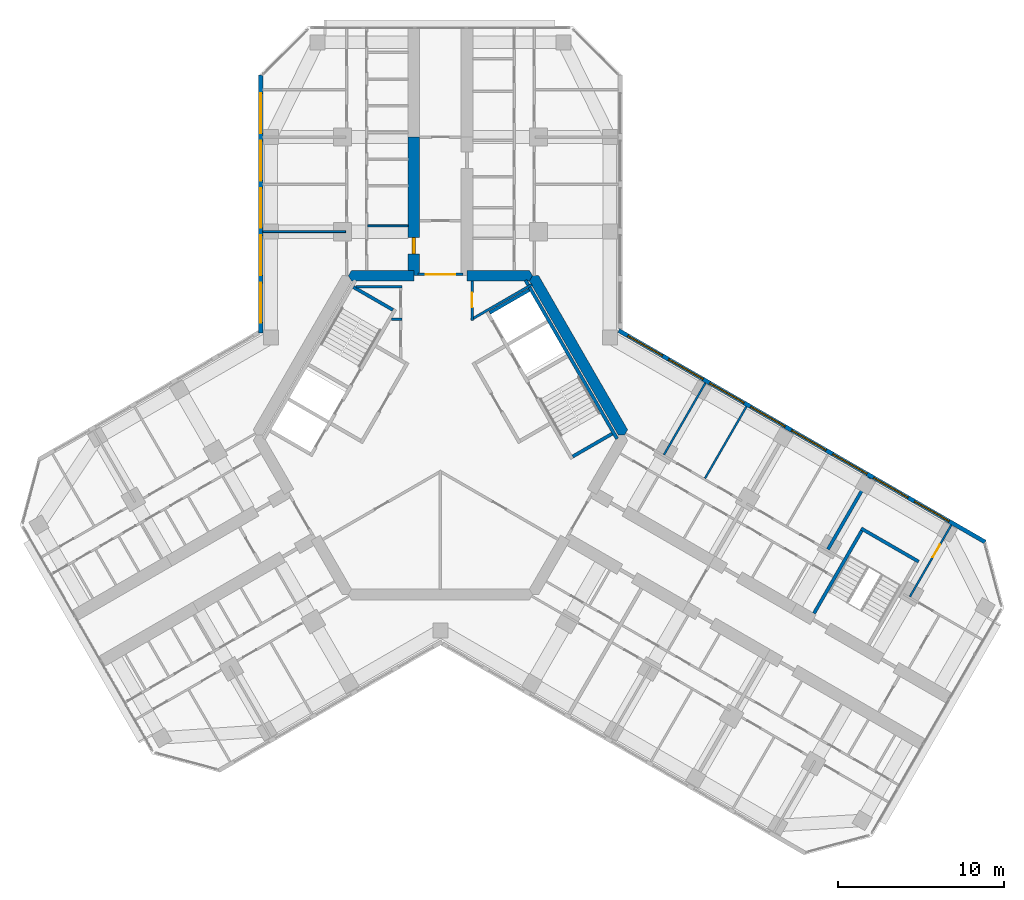
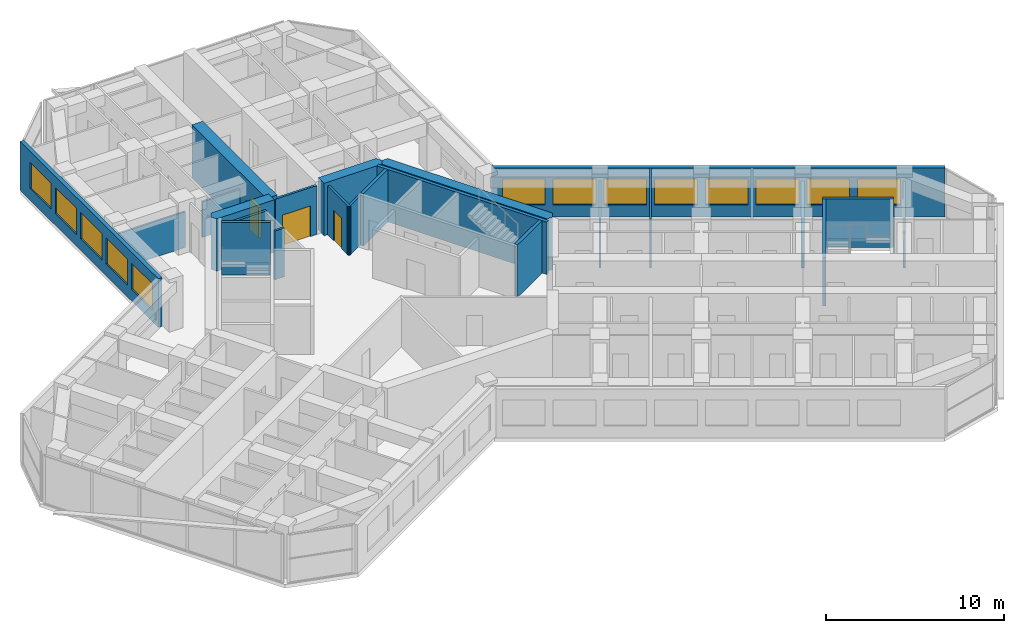
# One storey, part 13 of 16: 23 walls, 13 windows, 4 doors, 17 openings.
"""IFC4 building model written with IfcOpenShell, lengths in metres."""

import ifcopenshell
import ifcopenshell.guid

model = None  # the IFC model being written
_history = None  # IfcOwnerHistory: only IFC2X3 demands one
_inside = {}  # id of a spatial element -> (the spatial element, [elements in it])
_under = {}  # id of a project, library or spatial element -> (it, [spatial elements below it])
_declared = {}  # id of a project -> (the project, [libraries it declares])
_typed = {}  # id of a type object -> (the type object, [elements of that type])
_made_of = {}  # id of a material, layer set ... -> (it, [elements and type objects made of it])


def new_model(schema):
    """Start an empty IFC model of exactly this schema.

    Asked for "IFC4X3", IfcOpenShell would pick the latest addendum, in which some entities
    have other attributes; the version numbers below select the first issue.
    IFC2X3 requires an IfcOwnerHistory on every rooted entity: one is made here for all.
    """
    global model, _history
    if schema == "IFC4X3":
        model = ifcopenshell.file(schema_version=(4, 3, 0, 0))
    else:
        model = ifcopenshell.file(schema=schema)
    _inside.clear()
    _under.clear()
    _declared.clear()
    _typed.clear()
    _made_of.clear()
    _history = None
    if model.schema == "IFC2X3":
        org = make("IfcOrganization", Name="unknown")
        user = make(
            "IfcPersonAndOrganization",
            ThePerson=make("IfcPerson", FamilyName="unknown"),
            TheOrganization=org,
        )
        app = make(
            "IfcApplication",
            ApplicationDeveloper=org,
            Version="unknown",
            ApplicationFullName="unknown",
            ApplicationIdentifier="unknown",
        )
        _history = make(
            "IfcOwnerHistory",
            OwningUser=user,
            OwningApplication=app,
            ChangeAction="ADDED",
            CreationDate=0,
        )
    return model


def make(cls, **values):
    """One entity of the class cls with the attributes given. An attribute that is None is left unset."""
    return model.create_entity(
        cls, **{name: value for name, value in values.items() if value is not None}
    )


def rooted(cls, **values):
    """An entity with a GlobalId (a new one), such as an element, a storey or a relation."""
    return make(cls, GlobalId=ifcopenshell.guid.new(), OwnerHistory=_history, **values)


def si_unit(unit_type, name, prefix=None):
    """IfcSIUnit, for example si_unit("LENGTHUNIT", "METRE", prefix="MILLI")."""
    return make("IfcSIUnit", UnitType=unit_type, Prefix=prefix, Name=name)


def assignment(units):
    """IfcUnitAssignment: the units of a project."""
    return None if units is None else make("IfcUnitAssignment", Units=units)


def point(xyz):
    """IfcCartesianPoint."""
    return None if xyz is None else make("IfcCartesianPoint", Coordinates=xyz)


def direction(xyz):
    """IfcDirection."""
    return None if xyz is None else make("IfcDirection", DirectionRatios=xyz)


def frame(location, z_axis=None, x_axis=None):
    """IfcAxis2Placement3D, a coordinate frame: its origin and axes. An axis left out is left unset."""
    return make(
        "IfcAxis2Placement3D",
        Location=point(location),
        Axis=direction(z_axis),
        RefDirection=direction(x_axis),
    )


def frame_2d(location, x_axis=None):
    """IfcAxis2Placement2D, a coordinate frame in the plane: its origin and x axis."""
    return make(
        "IfcAxis2Placement2D", Location=point(location), RefDirection=direction(x_axis)
    )


def origin():
    """The frame at (0, 0, 0) with its axes left unset."""
    return frame((0.0, 0.0, 0.0))


def place(relative_to, where):
    """IfcLocalPlacement: puts the frame where relative to a parent placement (None: the world)."""
    return make(
        "IfcLocalPlacement", PlacementRelTo=relative_to, RelativePlacement=where
    )


def context(
    kind, dimensions, precision=None, world=None, true_north=None, identifier=None
):
    """IfcGeometricRepresentationContext, for example the 3D "Model" context."""
    return make(
        "IfcGeometricRepresentationContext",
        ContextIdentifier=identifier,
        ContextType=kind,
        CoordinateSpaceDimension=dimensions,
        Precision=precision,
        WorldCoordinateSystem=world,
        TrueNorth=true_north,
    )


def subcontext(parent, identifier, kind, view, scale=None):
    """IfcGeometricRepresentationSubContext, for example "Body" below "Model"."""
    return make(
        "IfcGeometricRepresentationSubContext",
        ContextIdentifier=identifier,
        ContextType=kind,
        ParentContext=parent,
        TargetScale=scale,
        TargetView=view,
    )


def project(units=None, contexts=None):
    """IfcProject with its units and contexts."""
    return rooted(
        "IfcProject",
        Name="project",
        RepresentationContexts=contexts,
        UnitsInContext=assignment(units),
    )


def spatial(cls, under=None, at=None, **own):
    """A site, building, storey or space (cls), placed at a placement, below another one or the project."""
    s = rooted(cls, ObjectPlacement=at, **own)
    if under is not None:
        _under.setdefault(under.id(), (under, []))[1].append(s)
    return s


def polyline(points):
    """IfcPolyline through the points."""
    return make("IfcPolyline", Points=[point(p) for p in points])


def profile(cls, at=None, kind="AREA", **sizes):
    """A parametric profile (cls). Its sizes go by their IFC names, for example OverallWidth=200.0."""
    return make(cls, ProfileType=kind, Position=at, **sizes)


def rectangle(**sizes):
    """IfcRectangleProfileDef."""
    return profile("IfcRectangleProfileDef", **sizes)


def outline(outer, holes=None, kind="AREA"):
    """IfcArbitraryClosedProfileDef: a profile drawn as a closed curve; with holes, ...WithVoids."""
    if holes is None:
        return make("IfcArbitraryClosedProfileDef", ProfileType=kind, OuterCurve=outer)
    return make(
        "IfcArbitraryProfileDefWithVoids",
        ProfileType=kind,
        OuterCurve=outer,
        InnerCurves=holes,
    )


def extrude(swept, where, along, depth):
    """IfcExtrudedAreaSolid: the profile swept, set in the frame where, extruded along a direction by depth."""
    return make(
        "IfcExtrudedAreaSolid",
        SweptArea=swept,
        Position=where,
        ExtrudedDirection=direction(along),
        Depth=depth,
    )


def shape(context_of_items, identifier, shape_type, items):
    """IfcShapeRepresentation: the items that make up one representation, for example the "Body"."""
    return make(
        "IfcShapeRepresentation",
        ContextOfItems=context_of_items,
        RepresentationIdentifier=identifier,
        RepresentationType=shape_type,
        Items=items,
    )


def material(Name=None, Category=None):
    """IfcMaterial."""
    return make("IfcMaterial", Name=Name, Category=Category)


def layer(
    of_material, thickness, ventilated=None, Name=None, Category=None, Priority=None
):
    """IfcMaterialLayer: one layer of a wall or slab, of a material (None: an air gap)."""
    return make(
        "IfcMaterialLayer",
        Material=of_material,
        LayerThickness=thickness,
        IsVentilated=ventilated,
        Name=Name,
        Category=Category,
        Priority=Priority,
    )


def layer_set(layers, Name=None):
    """IfcMaterialLayerSet."""
    return make("IfcMaterialLayerSet", MaterialLayers=layers, LayerSetName=Name)


def made_of(thing, what):
    """Note that an element or type object is made of a material, layer set ...; save() writes the relation."""
    if what is not None:
        _made_of.setdefault(what.id(), (what, []))[1].append(thing)
    return thing


def type_object(cls, material=None, **own):
    """A type object (cls), such as IfcWallType, which elements share."""
    return made_of(rooted(cls, **own), material)


def element(
    cls,
    number,
    at=None,
    inside=None,
    cuts=None,
    type_object=None,
    material=None,
    context=None,
    identifier="Body",
    shape_type=None,
    held_by="IfcProductDefinitionShape",
    body=None,
    shapes=None,
    **own,
):
    """One element of the class cls, such as IfcWall. Its Tag is "e" and its number.

    at: its placement. inside: the storey or other place that contains it. cuts: it is an
    opening in that element (IfcRelVoidsElement). A single representation is given by context,
    identifier, shape_type and body (its items); several are given by shapes. held_by: the class
    of the entity that holds the representations. save() writes the other relations.
    """
    e = rooted(cls, Tag="e%d" % number, ObjectPlacement=at, **own)
    if body is not None:
        shapes = [shape(context, identifier, shape_type, body)]
    if shapes is not None:
        e.Representation = make(held_by, Representations=shapes)
    if inside is not None:
        _inside.setdefault(inside.id(), (inside, []))[1].append(e)
    if cuts is not None:
        rooted(
            "IfcRelVoidsElement", RelatingBuildingElement=cuts, RelatedOpeningElement=e
        )
    if type_object is not None:
        _typed.setdefault(type_object.id(), (type_object, []))[1].append(e)
    return made_of(e, material)


def fill(opening, filler):
    """IfcRelFillsElement: the door or window that sits in an opening."""
    return rooted(
        "IfcRelFillsElement",
        RelatingOpeningElement=opening,
        RelatedBuildingElement=filler,
    )


def aggregate(whole, parts):
    """IfcRelAggregates: a whole, such as a stair, and the parts it consists of."""
    return rooted("IfcRelAggregates", RelatingObject=whole, RelatedObjects=parts)


def save(model, path):
    """Write the relations noted so far, then the file.

    IfcRelAggregates (storeys below a building ...), IfcRelContainedInSpatialStructure (elements
    in a storey), IfcRelDefinesByType, IfcRelAssociatesMaterial and IfcRelDeclares: one each for
    every whole, place, type object, material and project.
    """
    for whole, parts in _under.values():
        aggregate(whole, parts)
    for where, things in _inside.values():
        rooted(
            "IfcRelContainedInSpatialStructure",
            RelatedElements=things,
            RelatingStructure=where,
        )
    for kind, things in _typed.values():
        rooted("IfcRelDefinesByType", RelatedObjects=things, RelatingType=kind)
    for what, things in _made_of.values():
        rooted("IfcRelAssociatesMaterial", RelatedObjects=things, RelatingMaterial=what)
    for by, libraries in _declared.values():
        rooted("IfcRelDeclares", RelatingContext=by, RelatedDefinitions=libraries)
    model.write(path)


model = new_model("IFC4")

# Units and contexts
model_context = context("Model", 3, precision=1e-05, world=origin(), true_north=direction((0.0, 1.0)))
body_context = subcontext(model_context, "Body", "Model", "MODEL_VIEW")
ifc_project = project(units=[si_unit("LENGTHUNIT", "METRE"), si_unit("AREAUNIT", "SQUARE_METRE"), si_unit("VOLUMEUNIT", "CUBIC_METRE"), si_unit("PLANEANGLEUNIT", "RADIAN"), si_unit("MASSUNIT", "GRAM", prefix="KILO")], contexts=[model_context])

# Site, building, storey
site_placement = place(None, origin())
site = spatial("IfcSite", under=ifc_project, at=site_placement, CompositionType="ELEMENT")
building_placement = place(site_placement, origin())
building = spatial("IfcBuilding", under=site, at=building_placement, Name="Kosmar Iwan School Tower", CompositionType="ELEMENT")
storey_placement = place(building_placement, frame((0.0, 0.0, 222.60009765625)))
storey = spatial("IfcBuildingStorey", under=building, at=storey_placement, Name="L56", CompositionType="ELEMENT", Elevation=222.60009765625)

# Walls
ifc_material_1 = material(Name="Gypsum board on steel studs, fire-rated", Category="steel")
ifc_layer_1 = layer(ifc_material_1, 0.14990234375)
ifc_layer_set_1 = layer_set([ifc_layer_1], Name="Core room partition 150")
wall_type_1 = type_object("IfcWallType", Name="Core room partition 150", PredefinedType="PARTITIONING", material=ifc_layer_set_1)
wall_1_placement = place(storey_placement, frame((-2.324951171875, 6.985107421875, 0.0), z_axis=(0.0, 0.0, 1.0), x_axis=(-1.0, 0.0, 0.0)))
element("IfcWall", 1, at=wall_1_placement, inside=storey, type_object=wall_type_1, Name="Core room partition L56-CW2", PredefinedType="PARTITIONING", context=body_context, shape_type="SweptSolid", body=[
    extrude(rectangle(XDim=0.623779296875, YDim=0.14990234375, at=frame_2d((0.31201171875, 0.0))), origin(), (0.0, 0.0, 1.0), 3.349853515625),
])
wall_2_placement = place(storey_placement, frame((-5.089599609375, 8.93994140625, 0.0), z_axis=(0.0, 0.0, 1.0), x_axis=(1.0, 0.0, 0.0)))
element("IfcWall", 2, at=wall_2_placement, inside=storey, type_object=wall_type_1, Name="Core room partition L56-CW3", PredefinedType="PARTITIONING", context=body_context, shape_type="SweptSolid", body=[
    extrude(rectangle(XDim=2.7646484375, YDim=0.14990234375, at=frame_2d((1.38232421875, 0.0))), origin(), (0.0, 0.0, 1.0), 3.349853515625),
])
wall_3_placement = place(storey_placement, frame((5.499755859375, 9.064208984375, 0.0), z_axis=(0.0, 0.0, 1.0), x_axis=(-0.866040514841, -0.499973825969, 0.0)))
element("IfcWall", 3, at=wall_3_placement, inside=storey, type_object=wall_type_1, Name="Core room partition L56-CW8", PredefinedType="PARTITIONING", context=body_context, shape_type="SweptSolid", body=[
    extrude(rectangle(XDim=4.231689453125, YDim=0.14990234375, at=frame_2d((2.11572265625, 0.0))), origin(), (0.0, 0.0, 1.0), 3.349853515625),
])

# Wall, opening, door
wall_4_placement = place(storey_placement, frame((1.89990234375, 6.910888671875, 0.0), z_axis=(0.0, 0.0, 1.0), x_axis=(0.0, 1.0, 0.0)))
wall_4 = element("IfcWall", 4, at=wall_4_placement, inside=storey, type_object=wall_type_1, Name="Core room partition L56-CW9", PredefinedType="PARTITIONING", context=body_context, shape_type="SweptSolid", body=[
    extrude(rectangle(XDim=2.384033203125, YDim=0.14990234375, at=frame_2d((1.19189453125, 0.0))), origin(), (0.0, 0.0, 1.0), 3.349853515625),
])
opening_1_placement = place(wall_4_placement, frame((0.777099609375, 0.0, 0.0)))
opening_1 = element("IfcOpeningElement", 5, at=opening_1_placement, cuts=wall_4, Name="Opening D14", PredefinedType="OPENING", context=body_context, shape_type="SweptSolid", body=[
    extrude(rectangle(XDim=0.89990234375, YDim=2.10009765625, at=frame_2d((0.449951171875, 1.050048828125))), frame((0.0, 0.0869140625, 0.0), z_axis=(0.0, -1.0, 0.0), x_axis=(1.0, 0.0, 0.0)), (0.0, 0.0, 1.0), 0.173828125),
])
ifc_material_2 = material(Name="Timber fire door in steel frame", Category="steel")
door_type_1 = type_object("IfcDoorType", Name="Core room door 900x2100", OperationType="SINGLE_SWING_LEFT", PredefinedType="DOOR", material=ifc_material_2)
door_1_placement = place(opening_1_placement, origin())
door_1 = element("IfcDoor", 6, at=door_1_placement, inside=storey, type_object=door_type_1, Name="Linen store door L56 5", OperationType="SINGLE_SWING_RIGHT", OverallHeight=2.10009765625, OverallWidth=0.89990234375, PredefinedType="DOOR", context=body_context, shape_type="SweptSolid", body=[
    extrude(rectangle(XDim=0.89990234375, YDim=2.10009765625, at=frame_2d((0.449951171875, 1.050048828125))), frame((0.0, 0.02490234375, 0.0), z_axis=(0.0, -1.0, 0.0), x_axis=(1.0, 0.0, 0.0)), (0.0, 0.0, 1.0), 0.050048828125),
])
fill(opening_1, door_1)

# Walls
ifc_material_3 = material(Name="Concrete C50/60", Category="concrete")
ifc_layer_2 = layer(ifc_material_3, 0.64990234375)
ifc_layer_set_2 = layer_set([ifc_layer_2], Name="Core wall 650")
wall_type_2 = type_object("IfcWallType", Name="Core wall 650", PredefinedType="SHEAR", material=ifc_layer_set_2)
wall_5_placement = place(storey_placement, origin())
element("IfcWall", 7, at=wall_5_placement, inside=storey, type_object=wall_type_2, Name="Core wall F030", PredefinedType="SHEAR", context=body_context, shape_type="SweptSolid", body=[
    extrude(outline(polyline([(10.7099609375, 0.0), (11.085205078125, 0.0), (11.272705078125, 0.324951171875), (5.917724609375, 9.60009765625), (5.54248046875, 9.60009765625), (5.35498046875, 9.27490234375), (10.7099609375, 0.0)])), origin(), (0.0, 0.0, 1.0), 3.599853515625),
])
wall_6_placement = place(storey_placement, origin())
element("IfcWall", 8, at=wall_6_placement, inside=storey, type_object=wall_type_2, Name="Core wall F090a", PredefinedType="SHEAR", context=body_context, shape_type="SweptSolid", body=[
    extrude(outline(polyline([(1.60009765625, 9.27490234375), (5.35498046875, 9.27490234375), (5.54248046875, 9.60009765625), (5.35498046875, 9.925048828125), (1.60009765625, 9.925048828125), (1.60009765625, 9.27490234375)])), origin(), (0.0, 0.0, 1.0), 3.599853515625),
])
wall_7_placement = place(storey_placement, origin())
element("IfcWall", 9, at=wall_7_placement, inside=storey, type_object=wall_type_2, Name="Core wall F090b", PredefinedType="SHEAR", context=body_context, shape_type="SweptSolid", body=[
    extrude(outline(polyline([(-5.35498046875, 9.27490234375), (-1.60009765625, 9.27490234375), (-1.60009765625, 9.925048828125), (-5.35498046875, 9.925048828125), (-5.54248046875, 9.60009765625), (-5.35498046875, 9.27490234375)])), origin(), (0.0, 0.0, 1.0), 3.599853515625),
])

# Wall, opening, door
ifc_material_4 = material(Name="Concrete C50/60", Category="concrete")
ifc_layer_3 = layer(ifc_material_4, 0.699951171875)
ifc_layer_set_3 = layer_set([ifc_layer_3], Name="Corridor buttress wall 700")
wall_type_3 = type_object("IfcWallType", Name="Corridor buttress wall 700", PredefinedType="SHEAR", material=ifc_layer_set_3)
wall_8_placement = place(storey_placement, frame((-1.60009765625, 9.60009765625, 0.0), z_axis=(0.0, 0.0, 1.0), x_axis=(0.0, 1.0, 0.0)))
wall_8 = element("IfcWall", 10, at=wall_8_placement, inside=storey, type_object=wall_type_3, Name="Corridor wall AL", PredefinedType="SHEAR", context=body_context, shape_type="SweptSolid", body=[
    extrude(rectangle(XDim=8.349853515625, YDim=0.699951171875, at=frame_2d((4.1748046875, 0.0))), origin(), (0.0, 0.0, 1.0), 3.599853515625),
])
opening_2_placement = place(wall_8_placement, frame((1.300048828125, 0.0, 0.0)))
opening_2 = element("IfcOpeningElement", 11, at=opening_2_placement, cuts=wall_8, Name="Opening D1", PredefinedType="OPENING", context=body_context, shape_type="SweptSolid", body=[
    extrude(rectangle(XDim=1.0, YDim=2.10009765625, at=frame_2d((0.5, 1.050048828125))), frame((0.0, 0.362060546875, 0.0), z_axis=(0.0, -1.0, 0.0), x_axis=(1.0, 0.0, 0.0)), (0.0, 0.0, 1.0), 0.723876953125),
])
ifc_material_5 = material(Name="Timber fire door in steel frame", Category="steel")
door_type_2 = type_object("IfcDoorType", Name="Flat entrance door 1000x2100", OperationType="SINGLE_SWING_LEFT", PredefinedType="DOOR", material=ifc_material_5)
door_2_placement = place(opening_2_placement, origin())
door_2 = element("IfcDoor", 12, at=door_2_placement, inside=storey, type_object=door_type_2, Name="Flat L56-AL1 entrance door", OperationType="SINGLE_SWING_RIGHT", OverallHeight=2.10009765625, OverallWidth=1.0, PredefinedType="DOOR", context=body_context, shape_type="SweptSolid", body=[
    extrude(rectangle(XDim=1.0, YDim=2.10009765625, at=frame_2d((0.5, 1.050048828125))), frame((0.0, 0.10009765625, 0.0), z_axis=(0.0, -1.0, 0.0), x_axis=(1.0, 0.0, 0.0)), (0.0, 0.0, 1.0), 0.199951171875),
])
fill(opening_2, door_2)

ifc_material_6 = material(Name="Steel framed glazed screen", Category="steel")
ifc_layer_4 = layer(ifc_material_6, 0.14990234375)
ifc_layer_set_4 = layer_set([ifc_layer_4], Name="Corridor screen wall 150")
wall_type_4 = type_object("IfcWallType", Name="Corridor screen wall 150", PredefinedType="PARTITIONING", material=ifc_layer_set_4)
wall_9_placement = place(storey_placement, frame((1.35009765625, 9.675048828125, 0.0), z_axis=(0.0, 0.0, 1.0), x_axis=(-1.0, 0.0, 0.0)))
wall_9 = element("IfcWall", 13, at=wall_9_placement, inside=storey, type_object=wall_type_4, Name="Corridor screen A L56", PredefinedType="PARTITIONING", context=body_context, shape_type="SweptSolid", body=[
    extrude(rectangle(XDim=2.7001953125, YDim=0.14990234375, at=frame_2d((1.35009765625, 0.0))), origin(), (0.0, 0.0, 1.0), 3.349853515625),
])
opening_3_placement = place(wall_9_placement, frame((0.449951171875, 0.0, 0.0)))
opening_3 = element("IfcOpeningElement", 14, at=opening_3_placement, cuts=wall_9, Name="Opening D9", PredefinedType="OPENING", context=body_context, shape_type="SweptSolid", body=[
    extrude(rectangle(XDim=1.800048828125, YDim=2.10009765625, at=frame_2d((0.89990234375, 1.050048828125))), frame((0.0, 0.0869140625, 0.0), z_axis=(0.0, -1.0, 0.0), x_axis=(1.0, 0.0, 0.0)), (0.0, 0.0, 1.0), 0.173828125),
])
ifc_material_7 = material(Name="Steel framed glazed smoke door", Category="steel")
door_type_3 = type_object("IfcDoorType", Name="Corridor smoke door pair 1800x2100", OperationType="DOUBLE_DOOR_DOUBLE_SWING", PredefinedType="DOOR", material=ifc_material_7)
door_3_placement = place(opening_3_placement, origin())
door_3 = element("IfcDoor", 15, at=door_3_placement, inside=storey, type_object=door_type_3, Name="Corridor doors A L56", OperationType="DOUBLE_DOOR_DOUBLE_SWING", OverallHeight=2.10009765625, OverallWidth=1.800048828125, PredefinedType="DOOR", context=body_context, shape_type="SweptSolid", body=[
    extrude(rectangle(XDim=1.800048828125, YDim=2.10009765625, at=frame_2d((0.89990234375, 1.050048828125))), frame((0.0, 0.02490234375, 0.0), z_axis=(0.0, -1.0, 0.0), x_axis=(1.0, 0.0, 0.0)), (0.0, 0.0, 1.0), 0.050048828125),
])
fill(opening_3, door_3)

# Walls
ifc_material_8 = material(Name="Gypsum board on steel studs", Category="steel")
ifc_layer_5 = layer(ifc_material_8, 0.1201171875)
ifc_layer_set_5 = layer_set([ifc_layer_5], Name="Dwelling partition 120")
wall_type_5 = type_object("IfcWallType", Name="Dwelling partition 120", PredefinedType="PARTITIONING", material=ifc_layer_set_5)
wall_10_placement = place(storey_placement, frame((-5.7099609375, 12.25, 0.0), z_axis=(0.0, 0.0, 1.0), x_axis=(-1.0, 0.0, 0.0)))
element("IfcWall", 16, at=wall_10_placement, inside=storey, type_object=wall_type_5, Name="Partition L56-AL1-X1", PredefinedType="PARTITIONING", context=body_context, shape_type="SweptSolid", body=[
    extrude(rectangle(XDim=4.989990234375, YDim=0.1201171875, at=frame_2d((2.4951171875, 0.0))), origin(), (0.0, 0.0, 1.0), 2.449951171875),
])
wall_11_placement = place(storey_placement, frame((-1.949951171875, 12.60009765625, 0.0), z_axis=(0.0, 0.0, 1.0), x_axis=(-1.0, 0.0, 0.0)))
element("IfcWall", 17, at=wall_11_placement, inside=storey, type_object=wall_type_5, Name="Partition L56-AL1-Y1", PredefinedType="PARTITIONING", context=body_context, shape_type="SweptSolid", body=[
    extrude(rectangle(XDim=2.43994140625, YDim=0.1201171875, at=frame_2d((1.219970703125, 0.0))), origin(), (0.0, 0.0, 1.0), 2.449951171875),
])
wall_12_placement = place(storey_placement, frame((13.4638671875, -1.179931640625, 0.0), z_axis=(0.0, 0.0, 1.0), x_axis=(0.499975153383, 0.86603974851, 0.0)))
element("IfcWall", 18, at=wall_12_placement, inside=storey, type_object=wall_type_5, Name="Partition L56-CL1-X1", PredefinedType="PARTITIONING", context=body_context, shape_type="SweptSolid", body=[
    extrude(rectangle(XDim=4.989990234375, YDim=0.1201171875, at=frame_2d((2.4951171875, 0.0))), origin(), (0.0, 0.0, 1.0), 2.449951171875),
])
wall_13_placement = place(storey_placement, frame((15.931884765625, -2.60498046875, 0.0), z_axis=(0.0, 0.0, 1.0), x_axis=(0.500011847778, 0.866018563358, 0.0)))
element("IfcWall", 19, at=wall_13_placement, inside=storey, type_object=wall_type_5, Name="Partition L56-CL1-X2", PredefinedType="PARTITIONING", context=body_context, shape_type="SweptSolid", body=[
    extrude(rectangle(XDim=4.990234375, YDim=0.1201171875, at=frame_2d((2.4951171875, 0.0))), origin(), (0.0, 0.0, 1.0), 3.349853515625),
])

# Wall, opening, door
wall_14_placement = place(storey_placement, frame((28.27294921875, -9.72998046875, 0.0), z_axis=(0.0, 0.0, 1.0), x_axis=(0.499975153383, 0.86603974851, 0.0)))
wall_14 = element("IfcWall", 20, at=wall_14_placement, inside=storey, type_object=wall_type_5, Name="Partition L56-CL3-TX", PredefinedType="PARTITIONING", context=body_context, shape_type="SweptSolid", body=[
    extrude(rectangle(XDim=4.989990234375, YDim=0.1201171875, at=frame_2d((2.4951171875, 0.0))), origin(), (0.0, 0.0, 1.0), 2.449951171875),
])
opening_4_placement = place(wall_14_placement, frame((2.739990234375, 0.0, 0.0)))
opening_4 = element("IfcOpeningElement", 21, at=opening_4_placement, cuts=wall_14, Name="Opening D2", PredefinedType="OPENING", context=body_context, shape_type="SweptSolid", body=[
    extrude(rectangle(XDim=0.89990234375, YDim=2.10009765625, at=frame_2d((0.449951171875, 1.050048828125))), frame((0.0, 0.072021484375, 0.0), z_axis=(0.0, -1.0, 0.0), x_axis=(1.0, 0.0, 0.0)), (0.0, 0.0, 1.0), 0.14404296875),
])
ifc_material_9 = material(Name="Timber door in timber frame", Category="wood")
door_type_4 = type_object("IfcDoorType", Name="Internal door 900x2100", OperationType="SINGLE_SWING_LEFT", PredefinedType="DOOR", material=ifc_material_9)
door_4_placement = place(opening_4_placement, origin())
door_4 = element("IfcDoor", 22, at=door_4_placement, inside=storey, type_object=door_type_4, Name="Bedroom 1 door L56-CL3-T1", OperationType="SINGLE_SWING_RIGHT", OverallHeight=2.10009765625, OverallWidth=0.89990234375, PredefinedType="DOOR", context=body_context, shape_type="SweptSolid", body=[
    extrude(rectangle(XDim=0.89990234375, YDim=2.10009765625, at=frame_2d((0.449951171875, 1.050048828125))), frame((0.0, 0.02490234375, 0.0), z_axis=(0.0, -1.0, 0.0), x_axis=(1.0, 0.0, 0.0)), (0.0, 0.0, 1.0), 0.050048828125),
])
fill(opening_4, door_4)

# Walls
ifc_material_10 = material(Name="Concrete C35/45", Category="concrete")
ifc_layer_6 = layer(ifc_material_10, 0.199951171875)
ifc_layer_set_6 = layer_set([ifc_layer_6], Name="Escape stair wall 200")
wall_type_6 = type_object("IfcWallType", Name="Escape stair wall 200", PredefinedType="SHEAR", material=ifc_layer_set_6)
wall_15_placement = place(storey_placement, frame((22.49560546875, -10.736328125, 0.0), z_axis=(0.0, 0.0, 1.0), x_axis=(0.500013701029, 0.866017493347, 0.0)))
element("IfcWall", 23, at=wall_15_placement, inside=storey, type_object=wall_type_6, Name="Stair WS3 wall", PredefinedType="SHEAR", context=body_context, shape_type="SweptSolid", body=[
    extrude(rectangle(XDim=5.949951171875, YDim=0.199951171875, at=frame_2d((2.97509765625, 0.0))), origin(), (0.0, 0.0, 1.0), 3.329833984375),
])
wall_16_placement = place(storey_placement, frame((25.334228515625, -5.6201171875, 0.0), z_axis=(0.0, 0.0, 1.0), x_axis=(0.866026010844, -0.49999894854, 0.0)))
element("IfcWall", 24, at=wall_16_placement, inside=storey, type_object=wall_type_6, Name="Stair WS3 wall", PredefinedType="SHEAR", context=body_context, shape_type="SweptSolid", body=[
    extrude(rectangle(XDim=4.0, YDim=0.199951171875, at=frame_2d((2.0, 0.0))), origin(), (0.0, 0.0, 1.0), 3.329833984375),
])

# Wall, openings, windows
ifc_material_11 = material(Name="Black aluminium rainscreen on insulated framing", Category="aluminium")
ifc_layer_7 = layer(ifc_material_11, 0.25)
ifc_layer_set_7 = layer_set([ifc_layer_7], Name="External wall rainscreen 250")
wall_type_7 = type_object("IfcWallType", Name="External wall rainscreen 250", PredefinedType="SOLIDWALL", material=ifc_layer_set_7)
wall_17_placement = place(storey_placement, frame((10.73681640625, 6.30078125, 0.0), z_axis=(0.0, 0.0, 1.0), x_axis=(0.866026390279, -0.499998291337, 0.0)))
wall_17 = element("IfcWall", 25, at=wall_17_placement, inside=storey, type_object=wall_type_7, Name="External wall CL L56", PredefinedType="SOLIDWALL", context=body_context, shape_type="SweptSolid", body=[
    extrude(rectangle(XDim=25.4873046875, YDim=0.25, at=frame_2d((12.74365234375, 0.0))), origin(), (0.0, 0.0, 1.0), 3.349853515625),
])
opening_5_placement = place(wall_17_placement, frame((0.626953125, 0.0, 0.800048828125)))
opening_5 = element("IfcOpeningElement", 26, at=opening_5_placement, cuts=wall_17, Name="Opening W5", PredefinedType="OPENING", context=body_context, shape_type="SweptSolid", body=[
    extrude(rectangle(XDim=2.39990234375, YDim=1.800048828125, at=frame_2d((1.199951171875, 0.89990234375))), frame((0.0, 0.136962890625, 0.0), z_axis=(0.0, -1.0, 0.0), x_axis=(1.0, 0.0, 0.0)), (0.0, 0.0, 1.0), 0.27392578125),
])
opening_6_placement = place(wall_17_placement, frame((3.47705078125, 0.0, 0.800048828125)))
opening_6 = element("IfcOpeningElement", 27, at=opening_6_placement, cuts=wall_17, Name="Opening W5", PredefinedType="OPENING", context=body_context, shape_type="SweptSolid", body=[
    extrude(rectangle(XDim=2.39990234375, YDim=1.800048828125, at=frame_2d((1.199951171875, 0.89990234375))), frame((0.0, 0.136962890625, 0.0), z_axis=(0.0, -1.0, 0.0), x_axis=(1.0, 0.0, 0.0)), (0.0, 0.0, 1.0), 0.27392578125),
])
opening_7_placement = place(wall_17_placement, frame((6.326904296875, 0.0, 0.800048828125)))
opening_7 = element("IfcOpeningElement", 28, at=opening_7_placement, cuts=wall_17, Name="Opening W5", PredefinedType="OPENING", context=body_context, shape_type="SweptSolid", body=[
    extrude(rectangle(XDim=2.39990234375, YDim=1.800048828125, at=frame_2d((1.199951171875, 0.89990234375))), frame((0.0, 0.136962890625, 0.0), z_axis=(0.0, -1.0, 0.0), x_axis=(1.0, 0.0, 0.0)), (0.0, 0.0, 1.0), 0.27392578125),
])
opening_8_placement = place(wall_17_placement, frame((9.177001953125, 0.0, 0.800048828125)))
opening_8 = element("IfcOpeningElement", 29, at=opening_8_placement, cuts=wall_17, Name="Opening W5", PredefinedType="OPENING", context=body_context, shape_type="SweptSolid", body=[
    extrude(rectangle(XDim=2.39990234375, YDim=1.800048828125, at=frame_2d((1.199951171875, 0.89990234375))), frame((0.0, 0.136962890625, 0.0), z_axis=(0.0, -1.0, 0.0), x_axis=(1.0, 0.0, 0.0)), (0.0, 0.0, 1.0), 0.27392578125),
])
opening_9_placement = place(wall_17_placement, frame((12.027099609375, 0.0, 0.800048828125)))
opening_9 = element("IfcOpeningElement", 30, at=opening_9_placement, cuts=wall_17, Name="Opening W5", PredefinedType="OPENING", context=body_context, shape_type="SweptSolid", body=[
    extrude(rectangle(XDim=2.39990234375, YDim=1.800048828125, at=frame_2d((1.199951171875, 0.89990234375))), frame((0.0, 0.136962890625, 0.0), z_axis=(0.0, -1.0, 0.0), x_axis=(1.0, 0.0, 0.0)), (0.0, 0.0, 1.0), 0.27392578125),
])
opening_10_placement = place(wall_17_placement, frame((14.876953125, 0.0, 0.800048828125)))
opening_10 = element("IfcOpeningElement", 31, at=opening_10_placement, cuts=wall_17, Name="Opening W5", PredefinedType="OPENING", context=body_context, shape_type="SweptSolid", body=[
    extrude(rectangle(XDim=2.39990234375, YDim=1.800048828125, at=frame_2d((1.199951171875, 0.89990234375))), frame((0.0, 0.136962890625, 0.0), z_axis=(0.0, -1.0, 0.0), x_axis=(1.0, 0.0, 0.0)), (0.0, 0.0, 1.0), 0.27392578125),
])
opening_11_placement = place(wall_17_placement, frame((17.72705078125, 0.0, 0.800048828125)))
opening_11 = element("IfcOpeningElement", 32, at=opening_11_placement, cuts=wall_17, Name="Opening W5", PredefinedType="OPENING", context=body_context, shape_type="SweptSolid", body=[
    extrude(rectangle(XDim=2.39990234375, YDim=1.800048828125, at=frame_2d((1.199951171875, 0.89990234375))), frame((0.0, 0.136962890625, 0.0), z_axis=(0.0, -1.0, 0.0), x_axis=(1.0, 0.0, 0.0)), (0.0, 0.0, 1.0), 0.27392578125),
])
opening_12_placement = place(wall_17_placement, frame((20.576904296875, 0.0, 0.800048828125)))
opening_12 = element("IfcOpeningElement", 33, at=opening_12_placement, cuts=wall_17, Name="Opening W5", PredefinedType="OPENING", context=body_context, shape_type="SweptSolid", body=[
    extrude(rectangle(XDim=2.39990234375, YDim=1.800048828125, at=frame_2d((1.199951171875, 0.89990234375))), frame((0.0, 0.136962890625, 0.0), z_axis=(0.0, -1.0, 0.0), x_axis=(1.0, 0.0, 0.0)), (0.0, 0.0, 1.0), 0.27392578125),
])
ifc_material_12 = material(Name="Black aluminium frame with dark triple glazing", Category="aluminium")
window_type = type_object("IfcWindowType", Name="Window 2400x1800", PartitioningType="SINGLE_PANEL", PredefinedType="WINDOW", material=ifc_material_12)
window_1_placement = place(opening_5_placement, origin())
window_1 = element("IfcWindow", 34, at=window_1_placement, inside=storey, type_object=window_type, Name="Window CL L56 -1", OverallHeight=1.800048828125, OverallWidth=2.39990234375, PartitioningType="SINGLE_PANEL", PredefinedType="WINDOW", context=body_context, shape_type="SweptSolid", body=[
    extrude(rectangle(XDim=2.39990234375, YDim=1.800048828125, at=frame_2d((1.199951171875, 0.89990234375))), frame((0.0, 0.030029296875, 0.0), z_axis=(0.0, -1.0, 0.0), x_axis=(1.0, 0.0, 0.0)), (0.0, 0.0, 1.0), 0.06005859375),
])
fill(opening_5, window_1)
window_2_placement = place(opening_6_placement, origin())
window_2 = element("IfcWindow", 35, at=window_2_placement, inside=storey, type_object=window_type, Name="Window CL L56 0", OverallHeight=1.800048828125, OverallWidth=2.39990234375, PartitioningType="SINGLE_PANEL", PredefinedType="WINDOW", context=body_context, shape_type="SweptSolid", body=[
    extrude(rectangle(XDim=2.39990234375, YDim=1.800048828125, at=frame_2d((1.199951171875, 0.89990234375))), frame((0.0, 0.030029296875, 0.0), z_axis=(0.0, -1.0, 0.0), x_axis=(1.0, 0.0, 0.0)), (0.0, 0.0, 1.0), 0.06005859375),
])
fill(opening_6, window_2)
window_3_placement = place(opening_7_placement, origin())
window_3 = element("IfcWindow", 36, at=window_3_placement, inside=storey, type_object=window_type, Name="Window CL L56 1", OverallHeight=1.800048828125, OverallWidth=2.39990234375, PartitioningType="SINGLE_PANEL", PredefinedType="WINDOW", context=body_context, shape_type="SweptSolid", body=[
    extrude(rectangle(XDim=2.39990234375, YDim=1.800048828125, at=frame_2d((1.199951171875, 0.89990234375))), frame((0.0, 0.030029296875, 0.0), z_axis=(0.0, -1.0, 0.0), x_axis=(1.0, 0.0, 0.0)), (0.0, 0.0, 1.0), 0.06005859375),
])
fill(opening_7, window_3)
window_4_placement = place(opening_8_placement, origin())
window_4 = element("IfcWindow", 37, at=window_4_placement, inside=storey, type_object=window_type, Name="Window CL L56 2", OverallHeight=1.800048828125, OverallWidth=2.39990234375, PartitioningType="SINGLE_PANEL", PredefinedType="WINDOW", context=body_context, shape_type="SweptSolid", body=[
    extrude(rectangle(XDim=2.39990234375, YDim=1.800048828125, at=frame_2d((1.199951171875, 0.89990234375))), frame((0.0, 0.030029296875, 0.0), z_axis=(0.0, -1.0, 0.0), x_axis=(1.0, 0.0, 0.0)), (0.0, 0.0, 1.0), 0.06005859375),
])
fill(opening_8, window_4)
window_5_placement = place(opening_9_placement, origin())
window_5 = element("IfcWindow", 38, at=window_5_placement, inside=storey, type_object=window_type, Name="Window CL L56 3", OverallHeight=1.800048828125, OverallWidth=2.39990234375, PartitioningType="SINGLE_PANEL", PredefinedType="WINDOW", context=body_context, shape_type="SweptSolid", body=[
    extrude(rectangle(XDim=2.39990234375, YDim=1.800048828125, at=frame_2d((1.199951171875, 0.89990234375))), frame((0.0, 0.030029296875, 0.0), z_axis=(0.0, -1.0, 0.0), x_axis=(1.0, 0.0, 0.0)), (0.0, 0.0, 1.0), 0.06005859375),
])
fill(opening_9, window_5)
window_6_placement = place(opening_10_placement, origin())
window_6 = element("IfcWindow", 39, at=window_6_placement, inside=storey, type_object=window_type, Name="Window CL L56 4", OverallHeight=1.800048828125, OverallWidth=2.39990234375, PartitioningType="SINGLE_PANEL", PredefinedType="WINDOW", context=body_context, shape_type="SweptSolid", body=[
    extrude(rectangle(XDim=2.39990234375, YDim=1.800048828125, at=frame_2d((1.199951171875, 0.89990234375))), frame((0.0, 0.030029296875, 0.0), z_axis=(0.0, -1.0, 0.0), x_axis=(1.0, 0.0, 0.0)), (0.0, 0.0, 1.0), 0.06005859375),
])
fill(opening_10, window_6)
window_7_placement = place(opening_11_placement, origin())
window_7 = element("IfcWindow", 40, at=window_7_placement, inside=storey, type_object=window_type, Name="Window CL L56 5", OverallHeight=1.800048828125, OverallWidth=2.39990234375, PartitioningType="SINGLE_PANEL", PredefinedType="WINDOW", context=body_context, shape_type="SweptSolid", body=[
    extrude(rectangle(XDim=2.39990234375, YDim=1.800048828125, at=frame_2d((1.199951171875, 0.89990234375))), frame((0.0, 0.030029296875, 0.0), z_axis=(0.0, -1.0, 0.0), x_axis=(1.0, 0.0, 0.0)), (0.0, 0.0, 1.0), 0.06005859375),
])
fill(opening_11, window_7)
window_8_placement = place(opening_12_placement, origin())
window_8 = element("IfcWindow", 41, at=window_8_placement, inside=storey, type_object=window_type, Name="Window CL L56 6", OverallHeight=1.800048828125, OverallWidth=2.39990234375, PartitioningType="SINGLE_PANEL", PredefinedType="WINDOW", context=body_context, shape_type="SweptSolid", body=[
    extrude(rectangle(XDim=2.39990234375, YDim=1.800048828125, at=frame_2d((1.199951171875, 0.89990234375))), frame((0.0, 0.030029296875, 0.0), z_axis=(0.0, -1.0, 0.0), x_axis=(1.0, 0.0, 0.0)), (0.0, 0.0, 1.0), 0.06005859375),
])
fill(opening_12, window_8)

wall_18_placement = place(storey_placement, frame((-10.824951171875, 6.14794921875, 0.0), z_axis=(0.0, 0.0, 1.0), x_axis=(0.0, 1.0, 0.0)))
wall_18 = element("IfcWall", 42, at=wall_18_placement, inside=storey, type_object=wall_type_7, Name="External wall AL L56", PredefinedType="SOLIDWALL", context=body_context, shape_type="SweptSolid", body=[
    extrude(rectangle(XDim=15.537353515625, YDim=0.25, at=frame_2d((7.7685546875, 0.0))), origin(), (0.0, 0.0, 1.0), 3.349853515625),
])
opening_13_placement = place(wall_18_placement, frame((0.626953125, 0.0, 0.800048828125)))
opening_13 = element("IfcOpeningElement", 43, at=opening_13_placement, cuts=wall_18, Name="Opening W5", PredefinedType="OPENING", context=body_context, shape_type="SweptSolid", body=[
    extrude(rectangle(XDim=2.39990234375, YDim=1.800048828125, at=frame_2d((1.199951171875, 0.89990234375))), frame((0.0, 0.136962890625, 0.0), z_axis=(0.0, -1.0, 0.0), x_axis=(1.0, 0.0, 0.0)), (0.0, 0.0, 1.0), 0.27392578125),
])
opening_14_placement = place(wall_18_placement, frame((3.47705078125, 0.0, 0.800048828125)))
opening_14 = element("IfcOpeningElement", 44, at=opening_14_placement, cuts=wall_18, Name="Opening W5", PredefinedType="OPENING", context=body_context, shape_type="SweptSolid", body=[
    extrude(rectangle(XDim=2.39990234375, YDim=1.800048828125, at=frame_2d((1.199951171875, 0.89990234375))), frame((0.0, 0.136962890625, 0.0), z_axis=(0.0, -1.0, 0.0), x_axis=(1.0, 0.0, 0.0)), (0.0, 0.0, 1.0), 0.27392578125),
])
opening_15_placement = place(wall_18_placement, frame((6.326904296875, 0.0, 0.800048828125)))
opening_15 = element("IfcOpeningElement", 45, at=opening_15_placement, cuts=wall_18, Name="Opening W5", PredefinedType="OPENING", context=body_context, shape_type="SweptSolid", body=[
    extrude(rectangle(XDim=2.39990234375, YDim=1.800048828125, at=frame_2d((1.199951171875, 0.89990234375))), frame((0.0, 0.136962890625, 0.0), z_axis=(0.0, -1.0, 0.0), x_axis=(1.0, 0.0, 0.0)), (0.0, 0.0, 1.0), 0.27392578125),
])
opening_16_placement = place(wall_18_placement, frame((9.177001953125, 0.0, 0.800048828125)))
opening_16 = element("IfcOpeningElement", 46, at=opening_16_placement, cuts=wall_18, Name="Opening W5", PredefinedType="OPENING", context=body_context, shape_type="SweptSolid", body=[
    extrude(rectangle(XDim=2.39990234375, YDim=1.800048828125, at=frame_2d((1.199951171875, 0.89990234375))), frame((0.0, 0.136962890625, 0.0), z_axis=(0.0, -1.0, 0.0), x_axis=(1.0, 0.0, 0.0)), (0.0, 0.0, 1.0), 0.27392578125),
])
opening_17_placement = place(wall_18_placement, frame((12.027099609375, 0.0, 0.800048828125)))
opening_17 = element("IfcOpeningElement", 47, at=opening_17_placement, cuts=wall_18, Name="Opening W5", PredefinedType="OPENING", context=body_context, shape_type="SweptSolid", body=[
    extrude(rectangle(XDim=2.39990234375, YDim=1.800048828125, at=frame_2d((1.199951171875, 0.89990234375))), frame((0.0, 0.136962890625, 0.0), z_axis=(0.0, -1.0, 0.0), x_axis=(1.0, 0.0, 0.0)), (0.0, 0.0, 1.0), 0.27392578125),
])
window_9_placement = place(opening_13_placement, origin())
window_9 = element("IfcWindow", 48, at=window_9_placement, inside=storey, type_object=window_type, Name="Window AL L56 -1", OverallHeight=1.800048828125, OverallWidth=2.39990234375, PartitioningType="SINGLE_PANEL", PredefinedType="WINDOW", context=body_context, shape_type="SweptSolid", body=[
    extrude(rectangle(XDim=2.39990234375, YDim=1.800048828125, at=frame_2d((1.199951171875, 0.89990234375))), frame((0.0, 0.030029296875, 0.0), z_axis=(0.0, -1.0, 0.0), x_axis=(1.0, 0.0, 0.0)), (0.0, 0.0, 1.0), 0.06005859375),
])
fill(opening_13, window_9)
window_10_placement = place(opening_14_placement, origin())
window_10 = element("IfcWindow", 49, at=window_10_placement, inside=storey, type_object=window_type, Name="Window AL L56 0", OverallHeight=1.800048828125, OverallWidth=2.39990234375, PartitioningType="SINGLE_PANEL", PredefinedType="WINDOW", context=body_context, shape_type="SweptSolid", body=[
    extrude(rectangle(XDim=2.39990234375, YDim=1.800048828125, at=frame_2d((1.199951171875, 0.89990234375))), frame((0.0, 0.030029296875, 0.0), z_axis=(0.0, -1.0, 0.0), x_axis=(1.0, 0.0, 0.0)), (0.0, 0.0, 1.0), 0.06005859375),
])
fill(opening_14, window_10)
window_11_placement = place(opening_15_placement, origin())
window_11 = element("IfcWindow", 50, at=window_11_placement, inside=storey, type_object=window_type, Name="Window AL L56 1", OverallHeight=1.800048828125, OverallWidth=2.39990234375, PartitioningType="SINGLE_PANEL", PredefinedType="WINDOW", context=body_context, shape_type="SweptSolid", body=[
    extrude(rectangle(XDim=2.39990234375, YDim=1.800048828125, at=frame_2d((1.199951171875, 0.89990234375))), frame((0.0, 0.030029296875, 0.0), z_axis=(0.0, -1.0, 0.0), x_axis=(1.0, 0.0, 0.0)), (0.0, 0.0, 1.0), 0.06005859375),
])
fill(opening_15, window_11)
window_12_placement = place(opening_16_placement, origin())
window_12 = element("IfcWindow", 51, at=window_12_placement, inside=storey, type_object=window_type, Name="Window AL L56 2", OverallHeight=1.800048828125, OverallWidth=2.39990234375, PartitioningType="SINGLE_PANEL", PredefinedType="WINDOW", context=body_context, shape_type="SweptSolid", body=[
    extrude(rectangle(XDim=2.39990234375, YDim=1.800048828125, at=frame_2d((1.199951171875, 0.89990234375))), frame((0.0, 0.030029296875, 0.0), z_axis=(0.0, -1.0, 0.0), x_axis=(1.0, 0.0, 0.0)), (0.0, 0.0, 1.0), 0.06005859375),
])
fill(opening_16, window_12)
window_13_placement = place(opening_17_placement, origin())
window_13 = element("IfcWindow", 52, at=window_13_placement, inside=storey, type_object=window_type, Name="Window AL L56 3", OverallHeight=1.800048828125, OverallWidth=2.39990234375, PartitioningType="SINGLE_PANEL", PredefinedType="WINDOW", context=body_context, shape_type="SweptSolid", body=[
    extrude(rectangle(XDim=2.39990234375, YDim=1.800048828125, at=frame_2d((1.199951171875, 0.89990234375))), frame((0.0, 0.030029296875, 0.0), z_axis=(0.0, -1.0, 0.0), x_axis=(1.0, 0.0, 0.0)), (0.0, 0.0, 1.0), 0.06005859375),
])
fill(opening_17, window_13)

# Walls
ifc_material_13 = material(Name="Concrete C50/60", Category="concrete")
ifc_layer_8 = layer(ifc_material_13, 0.199951171875)
ifc_layer_set_8 = layer_set([ifc_layer_8], Name="Lift shaft wall 200")
wall_type_8 = type_object("IfcWallType", Name="Lift shaft wall 200", PredefinedType="SHEAR", material=ifc_layer_set_8)
wall_19_placement = place(storey_placement, frame((10.6376953125, -0.22509765625, 0.0), z_axis=(0.0, 0.0, 1.0), x_axis=(-0.49999650507, 0.866027421574, 0.0)))
element("IfcWall", 53, at=wall_19_placement, inside=storey, type_object=wall_type_8, Name="Lift and stair back wall AC", PredefinedType="SHEAR", context=body_context, shape_type="SweptSolid", body=[
    extrude(rectangle(XDim=11.02734375, YDim=0.199951171875, at=frame_2d((5.513671875, 0.0))), origin(), (0.0, 0.0, 1.0), 3.599853515625),
])
wall_20_placement = place(storey_placement, frame((2.962646484375, 7.368408203125, 0.0), z_axis=(0.0, 0.0, 1.0), x_axis=(0.866027397988, 0.499996545922, 0.0)))
element("IfcWall", 54, at=wall_20_placement, inside=storey, type_object=wall_type_8, Name="Lift shaft wall AC 2", PredefinedType="SHEAR", context=body_context, shape_type="SweptSolid", body=[
    extrude(rectangle(XDim=2.75, YDim=0.199951171875, at=frame_2d((1.375, 0.0))), origin(), (0.0, 0.0, 1.0), 3.599853515625),
])
ifc_material_14 = material(Name="Concrete block masonry", Category="masonry")
ifc_layer_9 = layer(ifc_material_14, 0.199951171875)
ifc_layer_set_9 = layer_set([ifc_layer_9], Name="Party wall 200")
wall_type_9 = type_object("IfcWallType", Name="Party wall 200", PredefinedType="PARTITIONING", material=ifc_layer_set_9)
wall_21_placement = place(storey_placement, frame((23.33642578125, -6.8798828125, 0.0), z_axis=(0.0, 0.0, 1.0), x_axis=(0.500033033937, 0.866006330792, 0.0)))
element("IfcWall", 55, at=wall_21_placement, inside=storey, type_object=wall_type_9, Name="Partition L56-CL3-TB", PredefinedType="PARTITIONING", context=body_context, shape_type="SweptSolid", body=[
    extrude(rectangle(XDim=4.989990234375, YDim=0.199951171875, at=frame_2d((2.4951171875, 0.0))), origin(), (0.0, 0.0, 1.0), 2.449951171875),
])
ifc_material_15 = material(Name="Concrete C50/60", Category="concrete")
ifc_layer_10 = layer(ifc_material_15, 0.199951171875)
ifc_layer_set_10 = layer_set([ifc_layer_10], Name="Stair enclosure wall 200")
wall_type_10 = type_object("IfcWallType", Name="Stair enclosure wall 200", PredefinedType="SHEAR", material=ifc_layer_set_10)
for number, where, z_axis, x_axis, name in (
    (56, (-2.862548828125, 7.541748046875, 0.0), (0.0, 0.0, 1.0), (-0.866027397988, 0.499996545922, 0.0), "Stair ST2 wall"),
    (57, (7.962646484375, -1.291748046875, 0.0), (0.0, 0.0, 1.0), (0.866027397988, 0.499996545922, 0.0), "Stair ST1 wall"),
):
    element("IfcWall", number, at=place(storey_placement, frame(where, z_axis=z_axis, x_axis=x_axis)), inside=storey, type_object=wall_type_10, Name=name, PredefinedType="SHEAR", context=body_context, shape_type="SweptSolid", body=[
        extrude(rectangle(XDim=2.75, YDim=0.199951171875, at=frame_2d((1.375, 0.0))), origin(), (0.0, 0.0, 1.0), 3.599853515625),
    ])

save(model, "model.ifc")
